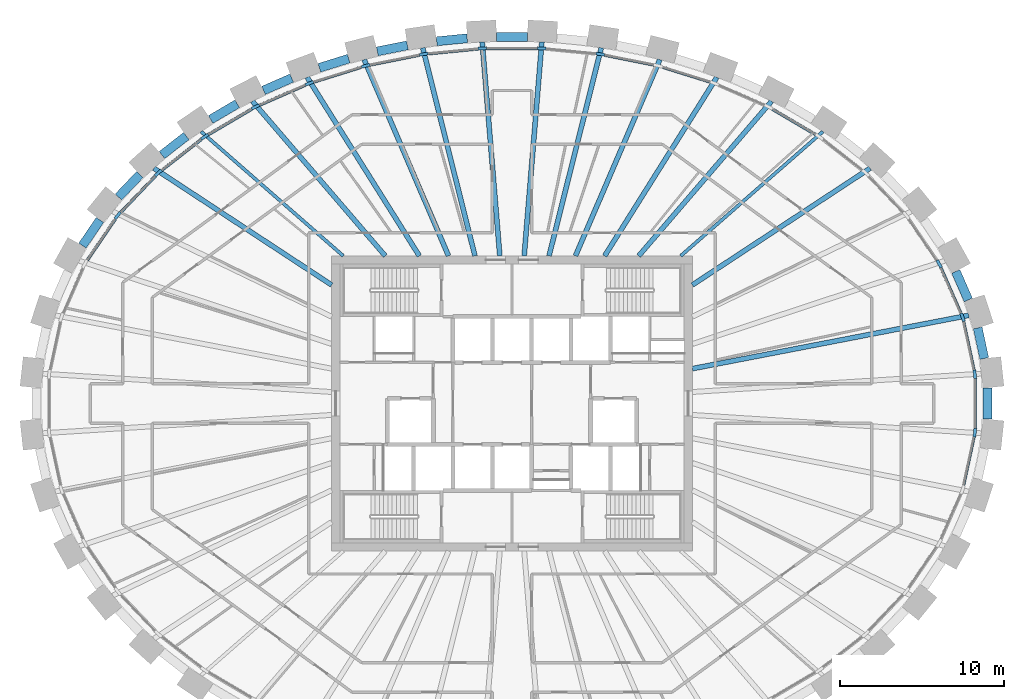
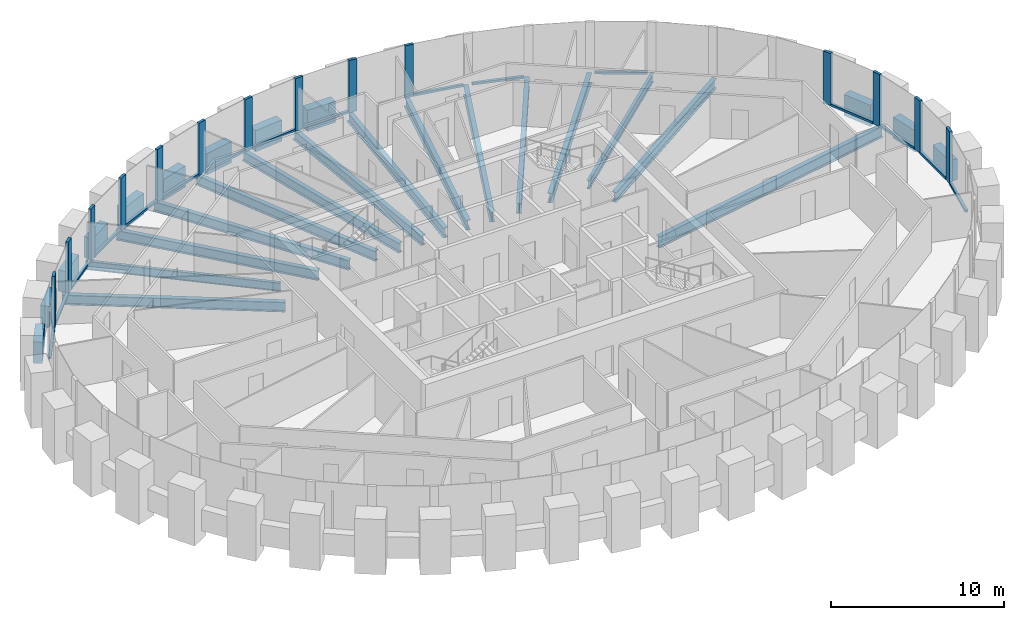
# One storey, part 3 of 11: 30 members, 27 beams, 1 element without a shape of its own.
"""IFC4 building model written with IfcOpenShell, lengths in metres."""

from ifc_helpers import new_model, si_unit, direction, frame, origin, origin_2d, place, context, subcontext, project, spatial, rectangle, i_section, extrude, source, transform, mapped, material, material_profile, profile_set, type_object, element, aggregate, save


model = new_model("IFC4")

# Units and contexts
model_context = context("Model", 3, precision=1e-05, world=origin(), true_north=direction((0.0, 1.0)))
body_context = subcontext(model_context, "Body", "Model", "MODEL_VIEW")
ifc_project = project(units=[si_unit("LENGTHUNIT", "METRE"), si_unit("AREAUNIT", "SQUARE_METRE"), si_unit("VOLUMEUNIT", "CUBIC_METRE"), si_unit("PLANEANGLEUNIT", "RADIAN"), si_unit("MASSUNIT", "GRAM", prefix="KILO")], contexts=[model_context])

# Site, building, storey
site_placement = place(None, origin())
site = spatial("IfcSite", under=ifc_project, at=site_placement, CompositionType="ELEMENT")
building_placement = place(site_placement, origin())
building = spatial("IfcBuilding", under=site, at=building_placement, Name="Embergate Tower", CompositionType="ELEMENT")
storey_placement = place(building_placement, frame((0.0, 0.0, 324.699951171875)))
storey = spatial("IfcBuildingStorey", under=building, at=storey_placement, Name="L76", CompositionType="ELEMENT", Elevation=324.699951171875)

# Beams
ifc_material_1 = material(Name="Concrete C50", Category="concrete")
ifc_material_profile_1 = material_profile(ifc_material_1, rectangle(XDim=0.550048828125, YDim=1.5, at=origin_2d()), Name="RC 550x1500")
ifc_profile_set_1 = profile_set([ifc_material_profile_1], Name="Concrete C50")
beam_type_1 = type_object("IfcBeamType", Name="Spandrel beam RC 550x1500 C50", PredefinedType="BEAM", material=ifc_profile_set_1)
shared_shape_1 = source(origin(), body_context, "Body", "SweptSolid", [
    extrude(rectangle(XDim=0.550048828125, YDim=1.5, at=origin_2d()), origin(), (0.0, 0.0, 1.0), 1.904541015625),
])
beam_1_placement = place(storey_placement, frame((28.801025390625, 2.742919921875, 0.0), z_axis=(-0.210098077345, 0.977680314774, 0.0), x_axis=(-0.977680314774, -0.210098077345, 0.0)))
element("IfcBeam", 1, at=beam_1_placement, inside=storey, type_object=beam_type_1, Name="SPN-L76-00", PredefinedType="BEAM", context=body_context, shape_type="MappedRepresentation", body=[
    mapped(shared_shape_1, transform((0.0, 0.0, 0.0))),
])
shared_shape_2 = source(origin(), body_context, "Body", "SweptSolid", [
    extrude(rectangle(XDim=0.550048828125, YDim=1.5, at=origin_2d()), origin(), (0.0, 0.0, 1.0), 1.897705078125),
])
beam_2_placement = place(storey_placement, frame((27.827880859375, 6.31103515625, 0.0), z_axis=(-0.401513845594, 0.915852953151, 0.0), x_axis=(-0.915852953151, -0.401513845594, 0.0)))
element("IfcBeam", 2, at=beam_2_placement, inside=storey, type_object=beam_type_1, Name="SPN-L76-01", PredefinedType="BEAM", context=body_context, shape_type="MappedRepresentation", body=[
    mapped(shared_shape_2, transform((0.0, 0.0, 0.0))),
])
shared_shape_3 = source(origin(), body_context, "Body", "SweptSolid", [
    extrude(rectangle(XDim=0.550048828125, YDim=1.5, at=origin_2d()), origin(), (0.0, 0.0, 1.0), 1.893798828125),
])
beam_3_placement = place(storey_placement, frame((-25.12890625, 11.18994140625, 0.0), z_axis=(-0.562440477268, -0.826837777034, 0.0), x_axis=(0.826837777034, -0.562440477268, 0.0)))
element("IfcBeam", 3, at=beam_3_placement, inside=storey, type_object=beam_type_1, Name="SPN-L76-18", PredefinedType="BEAM", context=body_context, shape_type="MappedRepresentation", body=[
    mapped(shared_shape_3, transform((0.0, 0.0, 0.0))),
])
shared_shape_4 = source(origin(), body_context, "Body", "SweptSolid", [
    extrude(rectangle(XDim=0.550048828125, YDim=1.5, at=origin_2d()), origin(), (0.0, 0.0, 1.0), 1.8876953125),
])
beam_4_placement = place(storey_placement, frame((-22.695068359375, 13.9560546875, 0.0), z_axis=(-0.69022655599, -0.723593325982, 0.0), x_axis=(0.723593325982, -0.69022655599, 0.0)))
element("IfcBeam", 4, at=beam_4_placement, inside=storey, type_object=beam_type_1, Name="SPN-L76-17", PredefinedType="BEAM", context=body_context, shape_type="MappedRepresentation", body=[
    mapped(shared_shape_4, transform((0.0, 0.0, 0.0))),
])
shared_shape_5 = source(origin(), body_context, "Body", "SweptSolid", [
    extrude(rectangle(XDim=0.550048828125, YDim=1.5, at=origin_2d()), origin(), (0.0, 0.0, 1.0), 1.88232421875),
])
beam_5_placement = place(storey_placement, frame((-19.864013671875, 16.30810546875, 0.0), z_axis=(-0.788303508782, -0.615286582043, 0.0), x_axis=(0.615286582043, -0.788303508782, 0.0)))
element("IfcBeam", 5, at=beam_5_placement, inside=storey, type_object=beam_type_1, Name="SPN-L76-16", PredefinedType="BEAM", context=body_context, shape_type="MappedRepresentation", body=[
    mapped(shared_shape_5, transform((0.0, 0.0, 0.0))),
])
shared_shape_6 = source(origin(), body_context, "Body", "SweptSolid", [
    extrude(rectangle(XDim=0.550048828125, YDim=1.5, at=origin_2d()), origin(), (0.0, 0.0, 1.0), 1.87939453125),
])
beam_6_placement = place(storey_placement, frame((-16.756103515625, 18.27294921875, 0.0), z_axis=(-0.861930875636, -0.507025803708, 0.0), x_axis=(0.507025803708, -0.861930875636, 0.0)))
element("IfcBeam", 6, at=beam_6_placement, inside=storey, type_object=beam_type_1, Name="SPN-L76-15", PredefinedType="BEAM", context=body_context, shape_type="MappedRepresentation", body=[
    mapped(shared_shape_6, transform((0.0, 0.0, 0.0))),
])
shared_shape_7 = source(origin(), body_context, "Body", "SweptSolid", [
    extrude(rectangle(XDim=0.550048828125, YDim=1.5, at=origin_2d()), origin(), (0.0, 0.0, 1.0), 1.876708984375),
])
beam_7_placement = place(storey_placement, frame((-13.43310546875, 19.842041015625, 0.0), z_axis=(-0.916452657221, -0.400143133231, 0.0), x_axis=(0.400143133231, -0.916452657221, 0.0)))
element("IfcBeam", 7, at=beam_7_placement, inside=storey, type_object=beam_type_1, Name="SPN-L76-14", PredefinedType="BEAM", context=body_context, shape_type="MappedRepresentation", body=[
    mapped(shared_shape_7, transform((0.0, 0.0, 0.0))),
])
shared_shape_8 = source(origin(), body_context, "Body", "SweptSolid", [
    extrude(rectangle(XDim=0.550048828125, YDim=1.5, at=origin_2d()), origin(), (0.0, 0.0, 1.0), 1.873779296875),
])
for number, where, z_axis, x_axis, name in (
    (8, (-6.376953125, 21.842041015625, 0.0), (-0.980404898084, -0.196992984173, 0.0), (0.196992984173, -0.980404898084, 0.0), "SPN-L76-12"),
    (9, (-9.9580078125, 21.028076171875, 0.0), (-0.954776255033, -0.297325247542, 0.0), (0.297325247542, -0.954776255033, 0.0), "SPN-L76-13"),
):
    element("IfcBeam", number, at=place(storey_placement, frame(where, z_axis=z_axis, x_axis=x_axis)), inside=storey, type_object=beam_type_1, Name=name, PredefinedType="BEAM", context=body_context, shape_type="MappedRepresentation", body=[
        mapped(shared_shape_8, transform((0.0, 0.0, 0.0))),
    ])
shared_shape_9 = source(origin(), body_context, "Body", "SweptSolid", [
    extrude(rectangle(XDim=0.550048828125, YDim=1.5, at=origin_2d()), origin(), (0.0, 0.0, 1.0), 1.87109375),
])
beam_8_placement = place(storey_placement, frame((-2.73193359375, 22.27099609375, 0.0), z_axis=(-0.995148946648, -0.098379743775, 0.0), x_axis=(0.098379743775, -0.995148946648, 0.0)))
element("IfcBeam", 10, at=beam_8_placement, inside=storey, type_object=beam_type_1, Name="SPN-L76-11", PredefinedType="BEAM", context=body_context, shape_type="MappedRepresentation", body=[
    mapped(shared_shape_9, transform((0.0, 0.0, 0.0))),
])
shared_shape_10 = source(origin(), body_context, "Body", "SweptSolid", [
    extrude(rectangle(XDim=0.550048828125, YDim=1.5, at=origin_2d()), origin(), (0.0, 0.0, 1.0), 1.8701171875),
])
beam_9_placement = place(storey_placement, frame((0.93505859375, 22.35888671875, 0.0), z_axis=(-1.0, 0.0, 0.0), x_axis=(0.0, -1.0, 0.0)))
element("IfcBeam", 11, at=beam_9_placement, inside=storey, type_object=beam_type_1, Name="SPN-L76-10", PredefinedType="BEAM", context=body_context, shape_type="MappedRepresentation", body=[
    mapped(shared_shape_10, transform((0.0, 0.0, 0.0))),
])
shared_shape_11 = source(origin(), body_context, "Body", "SweptSolid", [
    extrude(rectangle(XDim=0.550048828125, YDim=1.5, at=origin_2d()), origin(), (0.0, 0.0, 1.0), 1.90576171875),
])
beam_10_placement = place(storey_placement, frame((28.991943359375, -0.952880859375, 0.0), z_axis=(0.0, 1.0, 0.0), x_axis=(-1.0, 0.0, 0.0)))
element("IfcBeam", 12, at=beam_10_placement, inside=storey, type_object=beam_type_1, Name="SPN-L76-43", PredefinedType="BEAM", context=body_context, shape_type="MappedRepresentation", body=[
    mapped(shared_shape_11, transform((0.0, 0.0, 0.0))),
])
ifc_material_2 = material(Name="Steel Q355B", Category="steel")
ifc_material_profile_2 = material_profile(ifc_material_2, i_section(OverallWidth=0.300048828125, OverallDepth=0.800048828125, WebThickness=0.013916015625, FlangeThickness=0.02587890625, FilletRadius=0.028076171875, at=origin_2d()), Name="HN 800x300x14x26")
ifc_profile_set_2 = profile_set([ifc_material_profile_2], Name="Steel Q355 grade B")
beam_type_2 = type_object("IfcBeamType", Name="Radial girder HN 800x300x14x26", PredefinedType="BEAM", material=ifc_profile_set_2)
shared_shape_12 = source(origin(), body_context, "Body", "SweptSolid", [
    extrude(i_section(OverallWidth=0.300048828125, OverallDepth=0.800048828125, WebThickness=0.013916015625, FlangeThickness=0.02587890625, FilletRadius=0.028076171875, at=origin_2d()), origin(), (0.0, 0.0, 1.0), 17.162841796875),
])
beam_11_placement = place(storey_placement, frame((27.85205078125, 5.373046875, -0.599853515625), z_axis=(-0.981896091736, -0.189420339547, 0.0), x_axis=(0.189420339547, -0.981896091736, 0.0)))
element("IfcBeam", 13, at=beam_11_placement, inside=storey, type_object=beam_type_2, Name="GIR-L76-01", PredefinedType="BEAM", context=body_context, shape_type="MappedRepresentation", body=[
    mapped(shared_shape_12, transform((0.0, 0.0, 0.0))),
])
ifc_material_profile_3 = material_profile(ifc_material_2, i_section(OverallWidth=0.300048828125, OverallDepth=0.699951171875, WebThickness=0.012939453125, FlangeThickness=0.02392578125, FilletRadius=0.01806640625, at=origin_2d()), Name="HN 700x300x13x24")
ifc_profile_set_3 = profile_set([ifc_material_profile_3], Name="Steel Q355 grade B")
beam_type_3 = type_object("IfcBeamType", Name="Radial girder HN 700x300x13x24", PredefinedType="BEAM", material=ifc_profile_set_3)
shared_shape_13 = source(origin(), body_context, "Body", "SweptSolid", [
    extrude(i_section(OverallWidth=0.300048828125, OverallDepth=0.699951171875, WebThickness=0.012939453125, FlangeThickness=0.02392578125, FilletRadius=0.01806640625, at=origin_2d()), origin(), (0.0, 0.0, 1.0), 12.963134765625),
])
for number, where, z_axis, x_axis, name in (
    (14, (21.833984375, 14.344970703125, -0.550048828125), (-0.835760548257, -0.549094077529, 0.0), (0.549094077529, -0.835760548257, 0.0), "GIR-L76-04"),
    (15, (-21.833984375, 14.344970703125, -0.550048828125), (0.835760548257, -0.549094077529, 0.0), (0.549094077529, 0.835760548257, 0.0), "GIR-L76-17"),
):
    element("IfcBeam", number, at=place(storey_placement, frame(where, z_axis=z_axis, x_axis=x_axis)), inside=storey, type_object=beam_type_3, Name=name, PredefinedType="BEAM", context=body_context, shape_type="MappedRepresentation", body=[
        mapped(shared_shape_13, transform((0.0, 0.0, 0.0))),
    ])
ifc_material_profile_4 = material_profile(ifc_material_2, i_section(OverallWidth=0.199951171875, OverallDepth=0.60009765625, WebThickness=0.010986328125, FlangeThickness=0.01708984375, FilletRadius=0.012939453125, at=origin_2d()), Name="HN 600x200x11x17")
ifc_profile_set_4 = profile_set([ifc_material_profile_4], Name="Steel Q355 grade B")
beam_type_4 = type_object("IfcBeamType", Name="Radial girder HN 600x200x11x17", PredefinedType="BEAM", material=ifc_profile_set_4)
shared_shape_14 = source(origin(), body_context, "Body", "SweptSolid", [
    extrude(i_section(OverallWidth=0.199951171875, OverallDepth=0.60009765625, WebThickness=0.010986328125, FlangeThickness=0.01708984375, FilletRadius=0.012939453125, at=origin_2d()), origin(), (0.0, 0.0, 1.0), 11.52197265625),
])
for number, where, z_axis, x_axis, name in (
    (16, (18.965087890625, 16.5849609375, -0.5), (-0.752748620868, -0.658308069054, 0.0), (0.658308069054, -0.752748620868, 0.0), "GIR-L76-05"),
    (17, (-18.965087890625, 16.5849609375, -0.5), (0.752748620868, -0.658308069054, 0.0), (0.658308069054, 0.752748620868, 0.0), "GIR-L76-16"),
):
    element("IfcBeam", number, at=place(storey_placement, frame(where, z_axis=z_axis, x_axis=x_axis)), inside=storey, type_object=beam_type_4, Name=name, PredefinedType="BEAM", context=body_context, shape_type="MappedRepresentation", body=[
        mapped(shared_shape_14, transform((0.0, 0.0, 0.0))),
    ])
shared_shape_15 = source(origin(), body_context, "Body", "SweptSolid", [
    extrude(i_section(OverallWidth=0.300048828125, OverallDepth=0.699951171875, WebThickness=0.012939453125, FlangeThickness=0.02392578125, FilletRadius=0.01806640625, at=origin_2d()), origin(), (0.0, 0.0, 1.0), 12.43115234375),
])
for number, where, z_axis, x_axis, name in (
    (18, (15.826904296875, 18.430908203125, -0.550048828125), (-0.651497878896, -0.758650455608, 0.0), (0.758650455608, -0.651497878896, 0.0), "GIR-L76-06"),
    (19, (-15.826904296875, 18.430908203125, -0.550048828125), (0.651497878896, -0.758650455608, 0.0), (0.758650455608, 0.651497878896, 0.0), "GIR-L76-15"),
):
    element("IfcBeam", number, at=place(storey_placement, frame(where, z_axis=z_axis, x_axis=x_axis)), inside=storey, type_object=beam_type_3, Name=name, PredefinedType="BEAM", context=body_context, shape_type="MappedRepresentation", body=[
        mapped(shared_shape_15, transform((0.0, 0.0, 0.0))),
    ])
shared_shape_16 = source(origin(), body_context, "Body", "SweptSolid", [
    extrude(i_section(OverallWidth=0.300048828125, OverallDepth=0.699951171875, WebThickness=0.012939453125, FlangeThickness=0.02392578125, FilletRadius=0.01806640625, at=origin_2d()), origin(), (0.0, 0.0, 1.0), 12.8583984375),
])
for number, where, z_axis, x_axis, name in (
    (20, (12.490966796875, 19.888916015625, -0.550048828125), (-0.531859653709, -0.846832515174, 0.0), (0.846832515174, -0.531859653709, 0.0), "GIR-L76-07"),
    (21, (-12.490966796875, 19.888916015625, -0.550048828125), (0.531859653709, -0.846832515174, 0.0), (0.846832515174, 0.531859653709, 0.0), "GIR-L76-14"),
):
    element("IfcBeam", number, at=place(storey_placement, frame(where, z_axis=z_axis, x_axis=x_axis)), inside=storey, type_object=beam_type_3, Name=name, PredefinedType="BEAM", context=body_context, shape_type="MappedRepresentation", body=[
        mapped(shared_shape_16, transform((0.0, 0.0, 0.0))),
    ])
shared_shape_17 = source(origin(), body_context, "Body", "SweptSolid", [
    extrude(i_section(OverallWidth=0.300048828125, OverallDepth=0.699951171875, WebThickness=0.012939453125, FlangeThickness=0.02392578125, FilletRadius=0.01806640625, at=origin_2d()), origin(), (0.0, 0.0, 1.0), 13.0302734375),
])
for number, where, z_axis, x_axis, name in (
    (22, (9.014892578125, 20.970947265625, -0.550048828125), (-0.394929867162, -0.918711271305, 0.0), (0.918711271305, -0.394929867162, 0.0), "GIR-L76-08"),
    (23, (-9.014892578125, 20.970947265625, -0.550048828125), (0.394929867162, -0.918711271305, 0.0), (0.918711271305, 0.394929867162, 0.0), "GIR-L76-13"),
):
    element("IfcBeam", number, at=place(storey_placement, frame(where, z_axis=z_axis, x_axis=x_axis)), inside=storey, type_object=beam_type_3, Name=name, PredefinedType="BEAM", context=body_context, shape_type="MappedRepresentation", body=[
        mapped(shared_shape_17, transform((0.0, 0.0, 0.0))),
    ])
shared_shape_18 = source(origin(), body_context, "Body", "SweptSolid", [
    extrude(i_section(OverallWidth=0.300048828125, OverallDepth=0.699951171875, WebThickness=0.012939453125, FlangeThickness=0.02392578125, FilletRadius=0.01806640625, at=origin_2d()), origin(), (0.0, 0.0, 1.0), 13.080810546875),
])
for number, where, z_axis, x_axis, name in (
    (24, (5.444091796875, 21.68701171875, -0.550048828125), (-0.243492869498, -0.969902687131, 0.0), (0.969902687131, -0.243492869498, 0.0), "GIR-L76-09"),
    (25, (-5.444091796875, 21.68701171875, -0.550048828125), (0.243492869498, -0.969902687131, 0.0), (0.969902687131, 0.243492869498, 0.0), "GIR-L76-12"),
):
    element("IfcBeam", number, at=place(storey_placement, frame(where, z_axis=z_axis, x_axis=x_axis)), inside=storey, type_object=beam_type_3, Name=name, PredefinedType="BEAM", context=body_context, shape_type="MappedRepresentation", body=[
        mapped(shared_shape_18, transform((0.0, 0.0, 0.0))),
    ])
shared_shape_19 = source(origin(), body_context, "Body", "SweptSolid", [
    extrude(i_section(OverallWidth=0.300048828125, OverallDepth=0.699951171875, WebThickness=0.012939453125, FlangeThickness=0.02392578125, FilletRadius=0.01806640625, at=origin_2d()), origin(), (0.0, 0.0, 1.0), 13.08837890625),
])
for number, where, z_axis, x_axis, name in (
    (26, (1.820068359375, 22.0439453125, -0.550048828125), (-0.082298295943, -0.996607741534, 0.0), (0.996607741534, -0.082298295943, 0.0), "GIR-L76-10"),
    (27, (-1.820068359375, 22.0439453125, -0.550048828125), (0.082298295943, -0.996607741534, 0.0), (0.996607741534, 0.082298295943, 0.0), "GIR-L76-11"),
):
    element("IfcBeam", number, at=place(storey_placement, frame(where, z_axis=z_axis, x_axis=x_axis)), inside=storey, type_object=beam_type_3, Name=name, PredefinedType="BEAM", context=body_context, shape_type="MappedRepresentation", body=[
        mapped(shared_shape_19, transform((0.0, 0.0, 0.0))),
    ])

# Curtain wall, members
ifc_material_3 = material(Name="Aluminium and glass", Category="aluminium")
curtain_wall_type = type_object("IfcCurtainWallType", Name="Recessed office glazing", PredefinedType="NOTDEFINED", material=ifc_material_3)
curtain_wall_placement = place(storey_placement, origin())
curtain_wall = element("IfcCurtainWall", 28, at=curtain_wall_placement, inside=storey, type_object=curtain_wall_type, Name="Recessed office glazing ring", ObjectType="RECESSED OFFICE GLAZING", PredefinedType="USERDEFINED")
ifc_material_4 = material(Name="Aluminium, thermally broken", Category="aluminium")
ifc_material_profile_5 = material_profile(ifc_material_4, rectangle(XDim=0.179931640625, YDim=0.52001953125, at=origin_2d()), Name="AL 520x180")
ifc_profile_set_5 = profile_set([ifc_material_profile_5], Name="Aluminium, thermally broken")
member_type_1 = type_object("IfcMemberType", Name="Office mullion", PredefinedType="MULLION", material=ifc_profile_set_5)
shared_shape_20 = source(origin(), body_context, "Body", "SweptSolid", [
    extrude(rectangle(XDim=0.179931640625, YDim=0.52001953125, at=origin_2d()), origin(), (0.0, 0.0, 1.0), 3.699951171875),
])
member_1_placement = place(storey_placement, frame((28.228759765625, 1.7763671875, 0.0), z_axis=(0.0, 0.0, 1.0), x_axis=(-0.994384031216, -0.105831934987, 0.0)))
member_1 = element("IfcMember", 29, at=member_1_placement, type_object=member_type_1, Name="CW mullion 1", PredefinedType="MULLION", context=body_context, shape_type="MappedRepresentation", body=[
    mapped(shared_shape_20, transform((0.0, 0.0, 0.0))),
])
member_2_placement = place(storey_placement, frame((27.480712890625, 5.251708984375, 0.0), z_axis=(0.0, 0.0, 1.0), x_axis=(-0.951491891254, -0.307673822216, 0.0)))
member_2 = element("IfcMember", 30, at=member_2_placement, type_object=member_type_1, Name="CW mullion 2", PredefinedType="MULLION", context=body_context, shape_type="MappedRepresentation", body=[
    mapped(shared_shape_20, transform((0.0, 0.0, 0.0))),
])
member_3_placement = place(storey_placement, frame((26.05029296875, 8.513671875, 0.0), z_axis=(0.0, 0.0, 1.0), x_axis=(-0.874990911284, -0.484139344787, 0.0)))
member_3 = element("IfcMember", 31, at=member_3_placement, type_object=member_type_1, Name="CW mullion 3", PredefinedType="MULLION", context=body_context, shape_type="MappedRepresentation", body=[
    mapped(shared_shape_20, transform((0.0, 0.0, 0.0))),
])
member_4_placement = place(storey_placement, frame((5.386962890625, 21.301513671875, 0.0), z_axis=(0.0, 0.0, 1.0), x_axis=(-0.147412382818, -0.989075118174, 0.0)))
member_4 = element("IfcMember", 32, at=member_4_placement, type_object=member_type_1, Name="CW mullion 10", PredefinedType="MULLION", context=body_context, shape_type="MappedRepresentation", body=[
    mapped(shared_shape_20, transform((0.0, 0.0, 0.0))),
])
member_5_placement = place(storey_placement, frame((1.801513671875, 21.654052734375, 0.0), z_axis=(0.0, 0.0, 1.0), x_axis=(-0.048971796621, -0.998800161762, 0.0)))
member_5 = element("IfcMember", 33, at=member_5_placement, type_object=member_type_1, Name="CW mullion 11", PredefinedType="MULLION", context=body_context, shape_type="MappedRepresentation", body=[
    mapped(shared_shape_20, transform((0.0, 0.0, 0.0))),
])
member_6_placement = place(storey_placement, frame((-1.801513671875, 21.654052734375, 0.0), z_axis=(0.0, 0.0, 1.0), x_axis=(0.048971796621, -0.998800161762, 0.0)))
member_6 = element("IfcMember", 34, at=member_6_placement, type_object=member_type_1, Name="CW mullion 12", PredefinedType="MULLION", context=body_context, shape_type="MappedRepresentation", body=[
    mapped(shared_shape_20, transform((0.0, 0.0, 0.0))),
])
member_7_placement = place(storey_placement, frame((-5.386962890625, 21.301513671875, 0.0), z_axis=(0.0, 0.0, 1.0), x_axis=(0.147412382818, -0.989075118174, 0.0)))
member_7 = element("IfcMember", 35, at=member_7_placement, type_object=member_type_1, Name="CW mullion 13", PredefinedType="MULLION", context=body_context, shape_type="MappedRepresentation", body=[
    mapped(shared_shape_20, transform((0.0, 0.0, 0.0))),
])
member_8_placement = place(storey_placement, frame((-8.918212890625, 20.593505859375, 0.0), z_axis=(0.0, 0.0, 1.0), x_axis=(0.24731188137, -0.968935928394, 0.0)))
member_8 = element("IfcMember", 36, at=member_8_placement, type_object=member_type_1, Name="CW mullion 14", PredefinedType="MULLION", context=body_context, shape_type="MappedRepresentation", body=[
    mapped(shared_shape_20, transform((0.0, 0.0, 0.0))),
])
member_9_placement = place(storey_placement, frame((-12.354736328125, 19.523193359375, 0.0), z_axis=(0.0, 0.0, 1.0), x_axis=(0.349501047589, -0.936935973124, 0.0)))
member_9 = element("IfcMember", 37, at=member_9_placement, type_object=member_type_1, Name="CW mullion 15", PredefinedType="MULLION", context=body_context, shape_type="MappedRepresentation", body=[
    mapped(shared_shape_20, transform((0.0, 0.0, 0.0))),
])
member_10_placement = place(storey_placement, frame((-15.649658203125, 18.08251953125, 0.0), z_axis=(0.0, 0.0, 1.0), x_axis=(0.454508271251, -0.890742516872, 0.0)))
member_10 = element("IfcMember", 38, at=member_10_placement, type_object=member_type_1, Name="CW mullion 16", PredefinedType="MULLION", context=body_context, shape_type="MappedRepresentation", body=[
    mapped(shared_shape_20, transform((0.0, 0.0, 0.0))),
])
member_11_placement = place(storey_placement, frame((-18.745849609375, 16.261962890625, 0.0), z_axis=(0.0, 0.0, 1.0), x_axis=(0.562210401679, -0.82699423471, 0.0)))
member_11 = element("IfcMember", 39, at=member_11_placement, type_object=member_type_1, Name="CW mullion 17", PredefinedType="MULLION", context=body_context, shape_type="MappedRepresentation", body=[
    mapped(shared_shape_20, transform((0.0, 0.0, 0.0))),
])
member_12_placement = place(storey_placement, frame((-21.57275390625, 14.0556640625, 0.0), z_axis=(0.0, 0.0, 1.0), x_axis=(0.671217477801, -0.741260478843, 0.0)))
member_12 = element("IfcMember", 40, at=member_12_placement, type_object=member_type_1, Name="CW mullion 18", PredefinedType="MULLION", context=body_context, shape_type="MappedRepresentation", body=[
    mapped(shared_shape_20, transform((0.0, 0.0, 0.0))),
])
member_13_placement = place(storey_placement, frame((-24.04248046875, 11.4658203125, 0.0), z_axis=(0.0, 0.0, 1.0), x_axis=(0.777861596203, -0.628435626897, 0.0)))
member_13 = element("IfcMember", 41, at=member_13_placement, type_object=member_type_1, Name="CW mullion 19", PredefinedType="MULLION", context=body_context, shape_type="MappedRepresentation", body=[
    mapped(shared_shape_20, transform((0.0, 0.0, 0.0))),
])
member_14_placement = place(storey_placement, frame((28.228759765625, -1.7763671875, 0.0), z_axis=(0.0, 0.0, 1.0), x_axis=(-0.994384031216, 0.105831934987, 0.0)))
member_14 = element("IfcMember", 42, at=member_14_placement, type_object=member_type_1, Name="CW mullion 44", PredefinedType="MULLION", context=body_context, shape_type="MappedRepresentation", body=[
    mapped(shared_shape_20, transform((0.0, 0.0, 0.0))),
])
ifc_material_profile_6 = material_profile(ifc_material_4, rectangle(XDim=0.179931640625, YDim=0.14990234375, at=origin_2d()), Name="AL 150x180")
ifc_profile_set_6 = profile_set([ifc_material_profile_6], Name="Aluminium, thermally broken")
member_type_2 = type_object("IfcMemberType", Name="Office sill transom", PredefinedType="USERDEFINED", material=ifc_profile_set_6)
shared_shape_21 = source(origin(), body_context, "Body", "SweptSolid", [
    extrude(rectangle(XDim=0.179931640625, YDim=0.14990234375, at=origin_2d()), origin(), (0.0, 0.0, 1.0), 3.034912109375),
])
member_15_placement = place(storey_placement, frame((28.174072265625, 2.030517578125, 0.074951171875), z_axis=(-0.210435439113, 0.977607756703, 0.0), x_axis=(-0.977607756703, -0.210435439113, 0.0)))
member_15 = element("IfcMember", 43, at=member_15_placement, type_object=member_type_2, Name="CW transom 1.1", ObjectType="TRANSOM", PredefinedType="USERDEFINED", context=body_context, shape_type="MappedRepresentation", body=[
    mapped(shared_shape_21, transform((0.0, 0.0, 0.0))),
])
member_16_placement = place(storey_placement, frame((27.535400390625, -4.99755859375, 0.074951171875), z_axis=(0.210435439113, 0.977607756703, 0.0), x_axis=(-0.977607756703, 0.210435439113, 0.0)))
member_16 = element("IfcMember", 44, at=member_16_placement, type_object=member_type_2, Name="CW transom 43.1", ObjectType="TRANSOM", PredefinedType="USERDEFINED", context=body_context, shape_type="MappedRepresentation", body=[
    mapped(shared_shape_21, transform((0.0, 0.0, 0.0))),
])
shared_shape_22 = source(origin(), body_context, "Body", "SweptSolid", [
    extrude(rectangle(XDim=0.179931640625, YDim=0.14990234375, at=origin_2d()), origin(), (0.0, 0.0, 1.0), 3.04150390625),
])
member_17_placement = place(storey_placement, frame((27.37646484375, 5.489990234375, 0.074951171875), z_axis=(-0.401665038181, 0.915786654797, 0.0), x_axis=(-0.915786654797, -0.401665038181, 0.0)))
member_17 = element("IfcMember", 45, at=member_17_placement, type_object=member_type_2, Name="CW transom 2.1", ObjectType="TRANSOM", PredefinedType="USERDEFINED", context=body_context, shape_type="MappedRepresentation", body=[
    mapped(shared_shape_22, transform((0.0, 0.0, 0.0))),
])
shared_shape_23 = source(origin(), body_context, "Body", "SweptSolid", [
    extrude(rectangle(XDim=0.179931640625, YDim=0.14990234375, at=origin_2d()), origin(), (0.0, 0.0, 1.0), 3.050537109375),
])
member_18_placement = place(storey_placement, frame((-24.188720703125, 11.2509765625, 0.074951171875), z_axis=(-0.562323156119, -0.826917570313, 0.0), x_axis=(0.826917570313, -0.562323156119, 0.0)))
member_18 = element("IfcMember", 46, at=member_18_placement, type_object=member_type_2, Name="CW transom 19.1", ObjectType="TRANSOM", PredefinedType="USERDEFINED", context=body_context, shape_type="MappedRepresentation", body=[
    mapped(shared_shape_23, transform((0.0, 0.0, 0.0))),
])
shared_shape_24 = source(origin(), body_context, "Body", "SweptSolid", [
    extrude(rectangle(XDim=0.179931640625, YDim=0.14990234375, at=origin_2d()), origin(), (0.0, 0.0, 1.0), 3.05859375),
])
member_19_placement = place(storey_placement, frame((-21.752197265625, 13.867431640625, 0.074951171875), z_axis=(-0.690145338974, -0.723670789167, 0.0), x_axis=(0.723670789167, -0.690145338974, 0.0)))
member_19 = element("IfcMember", 47, at=member_19_placement, type_object=member_type_2, Name="CW transom 18.1", ObjectType="TRANSOM", PredefinedType="USERDEFINED", context=body_context, shape_type="MappedRepresentation", body=[
    mapped(shared_shape_24, transform((0.0, 0.0, 0.0))),
])
shared_shape_25 = source(origin(), body_context, "Body", "SweptSolid", [
    extrude(rectangle(XDim=0.179931640625, YDim=0.14990234375, at=origin_2d()), origin(), (0.0, 0.0, 1.0), 3.06591796875),
])
member_20_placement = place(storey_placement, frame((-18.950927734375, 16.10205078125, 0.074951171875), z_axis=(-0.788347811485, -0.615229817326, 0.0), x_axis=(0.615229817326, -0.788347811485, 0.0)))
member_20 = element("IfcMember", 48, at=member_20_placement, type_object=member_type_2, Name="CW transom 17.1", ObjectType="TRANSOM", PredefinedType="USERDEFINED", context=body_context, shape_type="MappedRepresentation", body=[
    mapped(shared_shape_25, transform((0.0, 0.0, 0.0))),
])
shared_shape_26 = source(origin(), body_context, "Body", "SweptSolid", [
    extrude(rectangle(XDim=0.179931640625, YDim=0.14990234375, at=origin_2d()), origin(), (0.0, 0.0, 1.0), 3.07177734375),
])
member_21_placement = place(storey_placement, frame((18.521728515625, 16.393798828125, 0.074951171875), z_axis=(-0.862038399322, 0.506842971831, 0.0), x_axis=(-0.506842971831, -0.862038399322, 0.0)))
member_21 = element("IfcMember", 49, at=member_21_placement, type_object=member_type_2, Name="CW transom 6.1", ObjectType="TRANSOM", PredefinedType="USERDEFINED", context=body_context, shape_type="MappedRepresentation", body=[
    mapped(shared_shape_26, transform((0.0, 0.0, 0.0))),
])
member_22_placement = place(storey_placement, frame((-15.873779296875, 17.95068359375, 0.074951171875), z_axis=(-0.862038399322, -0.506842971831, 0.0), x_axis=(0.506842971831, -0.862038399322, 0.0)))
member_22 = element("IfcMember", 50, at=member_22_placement, type_object=member_type_2, Name="CW transom 16.1", ObjectType="TRANSOM", PredefinedType="USERDEFINED", context=body_context, shape_type="MappedRepresentation", body=[
    mapped(shared_shape_26, transform((0.0, 0.0, 0.0))),
])
shared_shape_27 = source(origin(), body_context, "Body", "SweptSolid", [
    extrude(rectangle(XDim=0.179931640625, YDim=0.14990234375, at=origin_2d()), origin(), (0.0, 0.0, 1.0), 3.076171875),
])
member_23_placement = place(storey_placement, frame((-12.593017578125, 19.4189453125, 0.074951171875), z_axis=(-0.916242921691, -0.400623150169, 0.0), x_axis=(0.400623150169, -0.916242921691, 0.0)))
member_23 = element("IfcMember", 51, at=member_23_placement, type_object=member_type_2, Name="CW transom 15.1", ObjectType="TRANSOM", PredefinedType="USERDEFINED", context=body_context, shape_type="MappedRepresentation", body=[
    mapped(shared_shape_27, transform((0.0, 0.0, 0.0))),
])
shared_shape_28 = source(origin(), body_context, "Body", "SweptSolid", [
    extrude(rectangle(XDim=0.179931640625, YDim=0.14990234375, at=origin_2d()), origin(), (0.0, 0.0, 1.0), 3.079345703125),
])
member_24_placement = place(storey_placement, frame((12.1064453125, 19.600341796875, 0.074951171875), z_axis=(-0.954753265605, 0.297399061558, 0.0), x_axis=(-0.297399061558, -0.954753265605, 0.0)))
member_24 = element("IfcMember", 52, at=member_24_placement, type_object=member_type_2, Name="CW transom 8.1", ObjectType="TRANSOM", PredefinedType="USERDEFINED", context=body_context, shape_type="MappedRepresentation", body=[
    mapped(shared_shape_28, transform((0.0, 0.0, 0.0))),
])
member_25_placement = place(storey_placement, frame((-9.16650390625, 20.51611328125, 0.074951171875), z_axis=(-0.954753265605, -0.297399061558, 0.0), x_axis=(0.297399061558, -0.954753265605, 0.0)))
member_25 = element("IfcMember", 53, at=member_25_placement, type_object=member_type_2, Name="CW transom 14.1", ObjectType="TRANSOM", PredefinedType="USERDEFINED", context=body_context, shape_type="MappedRepresentation", body=[
    mapped(shared_shape_28, transform((0.0, 0.0, 0.0))),
])
shared_shape_29 = source(origin(), body_context, "Body", "SweptSolid", [
    extrude(rectangle(XDim=0.179931640625, YDim=0.14990234375, at=origin_2d()), origin(), (0.0, 0.0, 1.0), 3.081298828125),
])
member_26_placement = place(storey_placement, frame((8.663330078125, 20.64453125, 0.074951171875), z_axis=(-0.980473874626, 0.19664938641, 0.0), x_axis=(-0.19664938641, -0.980473874626, 0.0)))
member_26 = element("IfcMember", 54, at=member_26_placement, type_object=member_type_2, Name="CW transom 9.1", ObjectType="TRANSOM", PredefinedType="USERDEFINED", context=body_context, shape_type="MappedRepresentation", body=[
    mapped(shared_shape_29, transform((0.0, 0.0, 0.0))),
])
member_27_placement = place(storey_placement, frame((-5.64208984375, 21.25048828125, 0.074951171875), z_axis=(-0.980473874626, -0.19664938641, 0.0), x_axis=(0.19664938641, -0.980473874626, 0.0)))
member_27 = element("IfcMember", 55, at=member_27_placement, type_object=member_type_2, Name="CW transom 13.1", ObjectType="TRANSOM", PredefinedType="USERDEFINED", context=body_context, shape_type="MappedRepresentation", body=[
    mapped(shared_shape_29, transform((0.0, 0.0, 0.0))),
])
shared_shape_30 = source(origin(), body_context, "Body", "SweptSolid", [
    extrude(rectangle(XDim=0.179931640625, YDim=0.14990234375, at=origin_2d()), origin(), (0.0, 0.0, 1.0), 3.0830078125),
])
member_28_placement = place(storey_placement, frame((1.54150390625, 21.654052734375, 0.074951171875), z_axis=(-1.0, 0.0, 0.0), x_axis=(0.0, -1.0, 0.0)))
member_28 = element("IfcMember", 56, at=member_28_placement, type_object=member_type_2, Name="CW transom 11.1", ObjectType="TRANSOM", PredefinedType="USERDEFINED", context=body_context, shape_type="MappedRepresentation", body=[
    mapped(shared_shape_30, transform((0.0, 0.0, 0.0))),
])
member_29_placement = place(storey_placement, frame((-2.060302734375, 21.628662109375, 0.074951171875), z_axis=(-0.995198169666, -0.09788055524, 0.0), x_axis=(0.09788055524, -0.995198169666, 0.0)))
member_29 = element("IfcMember", 57, at=member_29_placement, type_object=member_type_2, Name="CW transom 12.1", ObjectType="TRANSOM", PredefinedType="USERDEFINED", context=body_context, shape_type="MappedRepresentation", body=[
    mapped(shared_shape_30, transform((0.0, 0.0, 0.0))),
])
shared_shape_31 = source(origin(), body_context, "Body", "SweptSolid", [
    extrude(rectangle(XDim=0.179931640625, YDim=0.14990234375, at=origin_2d()), origin(), (0.0, 0.0, 1.0), 3.03271484375),
])
member_30_placement = place(storey_placement, frame((28.228759765625, -1.516357421875, 0.074951171875), z_axis=(0.0, 1.0, 0.0), x_axis=(-1.0, 0.0, 0.0)))
member_30 = element("IfcMember", 58, at=member_30_placement, type_object=member_type_2, Name="CW transom 44.1", ObjectType="TRANSOM", PredefinedType="USERDEFINED", context=body_context, shape_type="MappedRepresentation", body=[
    mapped(shared_shape_31, transform((0.0, 0.0, 0.0))),
])
aggregate(curtain_wall, [member_1, member_2, member_3, member_4, member_5, member_6, member_7, member_8, member_9, member_10, member_11, member_12, member_13, member_14, member_15, member_17, member_21, member_24, member_26, member_28, member_29, member_27, member_25, member_23, member_22, member_20, member_19, member_18, member_16, member_30])

save(model, "model.ifc")
